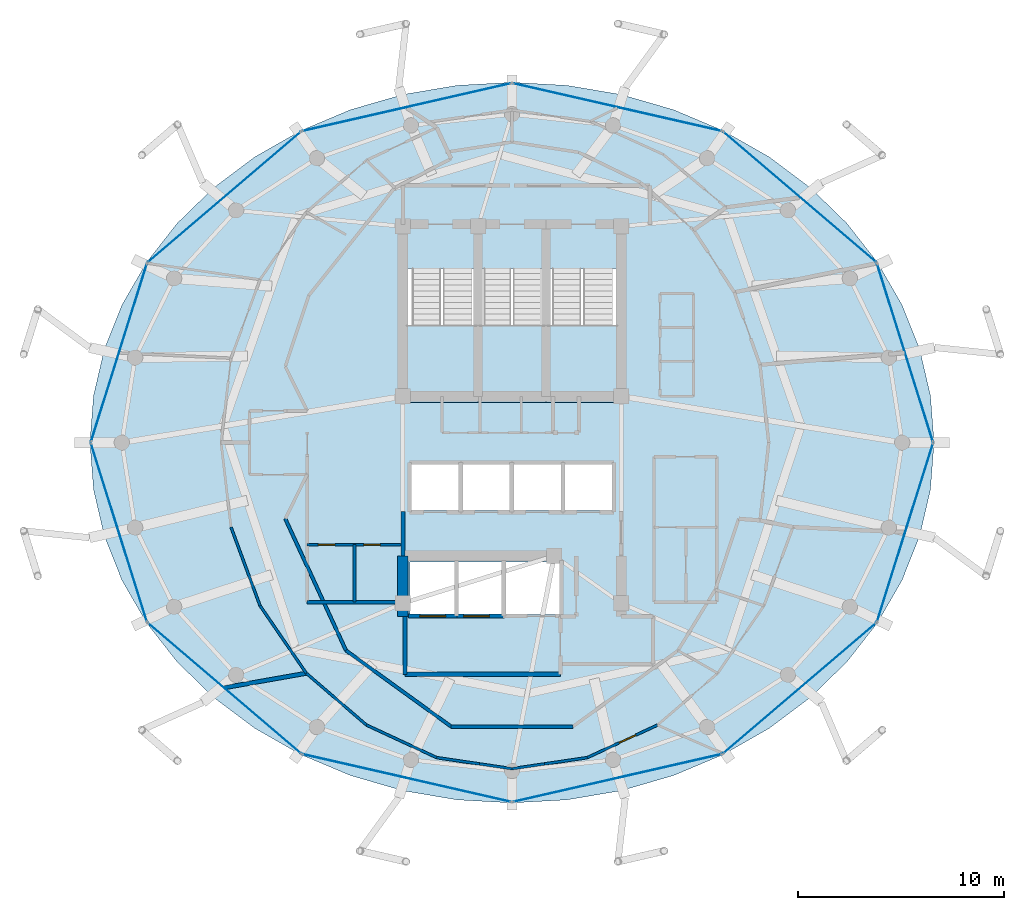
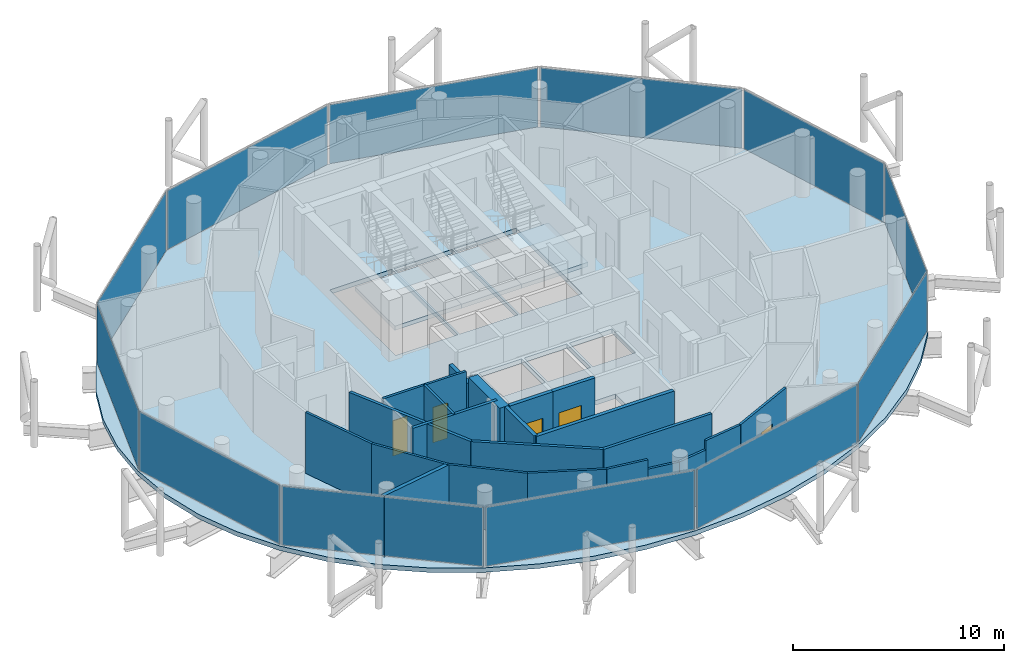
# One storey, part 20 of 25: 22 walls, 12 plates, 5 doors, 4 slabs, 5 openings, 15 elements without a shape of their own.
"""IFC4 building model written with IfcOpenShell, lengths in metres."""

from ifc_helpers import new_model, si_unit, direction, frame, frame_2d, origin, origin_2d, place, context, subcontext, project, spatial, polyline, rectangle, outline, extrude, material, layer, layer_set, type_object, element, fill, aggregate, save


model = new_model("IFC4")

# Units and contexts
model_context = context("Model", 3, precision=1e-05, world=origin(), true_north=direction((0.0, 1.0)))
body_context = subcontext(model_context, "Body", "Model", "MODEL_VIEW")
ifc_project = project(units=[si_unit("LENGTHUNIT", "METRE"), si_unit("AREAUNIT", "SQUARE_METRE"), si_unit("VOLUMEUNIT", "CUBIC_METRE"), si_unit("PLANEANGLEUNIT", "RADIAN"), si_unit("MASSUNIT", "GRAM", prefix="KILO")], contexts=[model_context])

# Site, building, storey
site_placement = place(None, origin())
site = spatial("IfcSite", under=ifc_project, at=site_placement, CompositionType="ELEMENT")
building_placement = place(site_placement, origin())
building = spatial("IfcBuilding", under=site, at=building_placement, Name="Nuhasar Tower", CompositionType="ELEMENT")
storey_placement = place(building_placement, frame((0.0, 0.0, 255.60009765625)))
storey = spatial("IfcBuildingStorey", under=building, at=storey_placement, Name="L63", CompositionType="ELEMENT", Elevation=255.60009765625)

# Curtain wall, plate
ifc_material_1 = material(Name="Aluminium 6063-T6", Category="aluminium")
ifc_layer_1 = layer(ifc_material_1, 0.18994140625)
ifc_layer_set_1 = layer_set([ifc_layer_1], Name="Aluminium 6063-T6")
curtain_wall_type = type_object("IfcCurtainWallType", Name="CW-Z4-PEN", PredefinedType="NOTDEFINED", material=ifc_layer_set_1)
curtain_wall_1_placement = place(storey_placement, origin())
curtain_wall_1 = element("IfcCurtainWall", 1, at=curtain_wall_1_placement, inside=storey, type_object=curtain_wall_type, Name="L63 Unitised Curtain Wall 01", PredefinedType="NOTDEFINED")
ifc_material_2 = material(Name="Glass Double Low-E", Category="glass")
ifc_layer_2 = layer(ifc_material_2, 0.028076171875)
ifc_layer_set_2 = layer_set([ifc_layer_2], Name="Glass Double Low-E")
plate_type = type_object("IfcPlateType", Name="CW-PANEL-GLZ", PredefinedType="CURTAIN_PANEL", material=ifc_layer_set_2)
plate_1_placement = place(storey_placement, frame((58.089599609375, 31.1650390625, 0.06005859375), z_axis=(0.0, 0.0, 1.0), x_axis=(-0.299556614146, 0.954078526601, 0.0)))
plate_1 = element("IfcPlate", 2, at=plate_1_placement, type_object=plate_type, Name="CW-Z4 panel 1.1", PredefinedType="CURTAIN_PANEL", context=body_context, shape_type="SweptSolid", body=[
    extrude(rectangle(XDim=9.0302734375, YDim=0.028076171875, at=origin_2d()), origin(), (0.0, 0.0, 1.0), 3.419921875),
])
aggregate(curtain_wall_1, [plate_1])

curtain_wall_2_placement = place(storey_placement, origin())
curtain_wall_2 = element("IfcCurtainWall", 3, at=curtain_wall_2_placement, inside=storey, type_object=curtain_wall_type, Name="L63 Unitised Curtain Wall 02", PredefinedType="NOTDEFINED")
plate_2_placement = place(storey_placement, frame((52.974609375, 38.7255859375, 0.06005859375), z_axis=(0.0, 0.0, 1.0), x_axis=(-0.760667252327, 0.649141996205, 0.0)))
plate_2 = element("IfcPlate", 4, at=plate_2_placement, type_object=plate_type, Name="CW-Z4 panel 1.1", PredefinedType="CURTAIN_PANEL", context=body_context, shape_type="SweptSolid", body=[
    extrude(rectangle(XDim=9.725341796875, YDim=0.028076171875, at=origin_2d()), origin(), (0.0, 0.0, 1.0), 3.419921875),
])
aggregate(curtain_wall_2, [plate_2])

curtain_wall_3_placement = place(storey_placement, origin())
curtain_wall_3 = element("IfcCurtainWall", 5, at=curtain_wall_3_placement, inside=storey, type_object=curtain_wall_type, Name="L63 Unitised Curtain Wall 03", PredefinedType="NOTDEFINED")
plate_3_placement = place(storey_placement, frame((44.114990234375, 43.090576171875, 0.06005859375), z_axis=(0.0, 0.0, 1.0), x_axis=(-0.97484371891, 0.222889487645, 0.0)))
plate_3 = element("IfcPlate", 6, at=plate_3_placement, type_object=plate_type, Name="CW-Z4 panel 1.1", PredefinedType="CURTAIN_PANEL", context=body_context, shape_type="SweptSolid", body=[
    extrude(rectangle(XDim=10.3740234375, YDim=0.028076171875, at=origin_2d()), origin(), (0.0, 0.0, 1.0), 3.419921875),
])
aggregate(curtain_wall_3, [plate_3])

curtain_wall_4_placement = place(storey_placement, origin())
curtain_wall_4 = element("IfcCurtainWall", 7, at=curtain_wall_4_placement, inside=storey, type_object=curtain_wall_type, Name="L63 Unitised Curtain Wall 04", PredefinedType="NOTDEFINED")
plate_4_placement = place(storey_placement, frame((33.885009765625, 43.090576171875, 0.06005859375), z_axis=(0.0, 0.0, 1.0), x_axis=(-0.97484371891, -0.222889487645, 0.0)))
plate_4 = element("IfcPlate", 8, at=plate_4_placement, type_object=plate_type, Name="CW-Z4 panel 1.1", PredefinedType="CURTAIN_PANEL", context=body_context, shape_type="SweptSolid", body=[
    extrude(rectangle(XDim=10.3740234375, YDim=0.028076171875, at=origin_2d()), origin(), (0.0, 0.0, 1.0), 3.419921875),
])
aggregate(curtain_wall_4, [plate_4])

curtain_wall_5_placement = place(storey_placement, origin())
curtain_wall_5 = element("IfcCurtainWall", 9, at=curtain_wall_5_placement, inside=storey, type_object=curtain_wall_type, Name="L63 Unitised Curtain Wall 05", PredefinedType="NOTDEFINED")
plate_5_placement = place(storey_placement, frame((25.025390625, 38.7255859375, 0.06005859375), z_axis=(0.0, 0.0, 1.0), x_axis=(-0.760667252327, -0.649141996205, 0.0)))
plate_5 = element("IfcPlate", 10, at=plate_5_placement, type_object=plate_type, Name="CW-Z4 panel 1.1", PredefinedType="CURTAIN_PANEL", context=body_context, shape_type="SweptSolid", body=[
    extrude(rectangle(XDim=9.725341796875, YDim=0.028076171875, at=origin_2d()), origin(), (0.0, 0.0, 1.0), 3.419921875),
])
aggregate(curtain_wall_5, [plate_5])

curtain_wall_6_placement = place(storey_placement, origin())
curtain_wall_6 = element("IfcCurtainWall", 11, at=curtain_wall_6_placement, inside=storey, type_object=curtain_wall_type, Name="L63 Unitised Curtain Wall 06", PredefinedType="NOTDEFINED")
plate_6_placement = place(storey_placement, frame((19.910400390625, 31.1650390625, 0.06005859375), z_axis=(0.0, 0.0, 1.0), x_axis=(-0.299556614146, -0.954078526601, 0.0)))
plate_6 = element("IfcPlate", 12, at=plate_6_placement, type_object=plate_type, Name="CW-Z4 panel 1.1", PredefinedType="CURTAIN_PANEL", context=body_context, shape_type="SweptSolid", body=[
    extrude(rectangle(XDim=9.0302734375, YDim=0.028076171875, at=origin_2d()), origin(), (0.0, 0.0, 1.0), 3.419921875),
])
aggregate(curtain_wall_6, [plate_6])

curtain_wall_7_placement = place(storey_placement, origin())
curtain_wall_7 = element("IfcCurtainWall", 13, at=curtain_wall_7_placement, inside=storey, type_object=curtain_wall_type, Name="L63 Unitised Curtain Wall 07", PredefinedType="NOTDEFINED")
plate_7_placement = place(storey_placement, frame((19.910400390625, 22.43505859375, 0.06005859375), z_axis=(0.0, 0.0, 1.0), x_axis=(0.299556614146, -0.954078526601, 0.0)))
plate_7 = element("IfcPlate", 14, at=plate_7_placement, type_object=plate_type, Name="CW-Z4 panel 1.1", PredefinedType="CURTAIN_PANEL", context=body_context, shape_type="SweptSolid", body=[
    extrude(rectangle(XDim=9.0302734375, YDim=0.028076171875, at=origin_2d()), origin(), (0.0, 0.0, 1.0), 3.419921875),
])
aggregate(curtain_wall_7, [plate_7])

curtain_wall_8_placement = place(storey_placement, origin())
curtain_wall_8 = element("IfcCurtainWall", 15, at=curtain_wall_8_placement, inside=storey, type_object=curtain_wall_type, Name="L63 Unitised Curtain Wall 08", PredefinedType="NOTDEFINED")
plate_8_placement = place(storey_placement, frame((25.025390625, 14.87451171875, 0.06005859375), z_axis=(0.0, 0.0, 1.0), x_axis=(0.760667252327, -0.649141996205, 0.0)))
plate_8 = element("IfcPlate", 16, at=plate_8_placement, type_object=plate_type, Name="CW-Z4 panel 1.1", PredefinedType="CURTAIN_PANEL", context=body_context, shape_type="SweptSolid", body=[
    extrude(rectangle(XDim=9.725341796875, YDim=0.028076171875, at=origin_2d()), origin(), (0.0, 0.0, 1.0), 3.419921875),
])
aggregate(curtain_wall_8, [plate_8])

curtain_wall_9_placement = place(storey_placement, origin())
curtain_wall_9 = element("IfcCurtainWall", 17, at=curtain_wall_9_placement, inside=storey, type_object=curtain_wall_type, Name="L63 Unitised Curtain Wall 09", PredefinedType="NOTDEFINED")
plate_9_placement = place(storey_placement, frame((33.885009765625, 10.509521484375, 0.06005859375), z_axis=(0.0, 0.0, 1.0), x_axis=(0.97484371891, -0.222889487645, 0.0)))
plate_9 = element("IfcPlate", 18, at=plate_9_placement, type_object=plate_type, Name="CW-Z4 panel 1.1", PredefinedType="CURTAIN_PANEL", context=body_context, shape_type="SweptSolid", body=[
    extrude(rectangle(XDim=10.3740234375, YDim=0.028076171875, at=origin_2d()), origin(), (0.0, 0.0, 1.0), 3.419921875),
])
aggregate(curtain_wall_9, [plate_9])

curtain_wall_10_placement = place(storey_placement, origin())
curtain_wall_10 = element("IfcCurtainWall", 19, at=curtain_wall_10_placement, inside=storey, type_object=curtain_wall_type, Name="L63 Unitised Curtain Wall 10", PredefinedType="NOTDEFINED")
plate_10_placement = place(storey_placement, frame((44.114990234375, 10.509521484375, 0.06005859375), z_axis=(0.0, 0.0, 1.0), x_axis=(0.97484371891, 0.222889487645, 0.0)))
plate_10 = element("IfcPlate", 20, at=plate_10_placement, type_object=plate_type, Name="CW-Z4 panel 1.1", PredefinedType="CURTAIN_PANEL", context=body_context, shape_type="SweptSolid", body=[
    extrude(rectangle(XDim=10.3740234375, YDim=0.028076171875, at=origin_2d()), origin(), (0.0, 0.0, 1.0), 3.419921875),
])
aggregate(curtain_wall_10, [plate_10])

curtain_wall_11_placement = place(storey_placement, origin())
curtain_wall_11 = element("IfcCurtainWall", 21, at=curtain_wall_11_placement, inside=storey, type_object=curtain_wall_type, Name="L63 Unitised Curtain Wall 11", PredefinedType="NOTDEFINED")
plate_11_placement = place(storey_placement, frame((52.974609375, 14.87451171875, 0.06005859375), z_axis=(0.0, 0.0, 1.0), x_axis=(0.760667252327, 0.649141996205, 0.0)))
plate_11 = element("IfcPlate", 22, at=plate_11_placement, type_object=plate_type, Name="CW-Z4 panel 1.1", PredefinedType="CURTAIN_PANEL", context=body_context, shape_type="SweptSolid", body=[
    extrude(rectangle(XDim=9.725341796875, YDim=0.028076171875, at=origin_2d()), origin(), (0.0, 0.0, 1.0), 3.419921875),
])
aggregate(curtain_wall_11, [plate_11])

curtain_wall_12_placement = place(storey_placement, origin())
curtain_wall_12 = element("IfcCurtainWall", 23, at=curtain_wall_12_placement, inside=storey, type_object=curtain_wall_type, Name="L63 Unitised Curtain Wall 12", PredefinedType="NOTDEFINED")
plate_12_placement = place(storey_placement, frame((58.089599609375, 22.43505859375, 0.06005859375), z_axis=(0.0, 0.0, 1.0), x_axis=(0.299556614146, 0.954078526601, 0.0)))
plate_12 = element("IfcPlate", 24, at=plate_12_placement, type_object=plate_type, Name="CW-Z4 panel 1.1", PredefinedType="CURTAIN_PANEL", context=body_context, shape_type="SweptSolid", body=[
    extrude(rectangle(XDim=9.0302734375, YDim=0.028076171875, at=origin_2d()), origin(), (0.0, 0.0, 1.0), 3.419921875),
])
aggregate(curtain_wall_12, [plate_12])

# Stair, slab
ifc_material_3 = material(Name="Concrete C45/55", Category="concrete")
stair_type_1 = type_object("IfcStairType", Name="STR-ST-01-2F-22R-1727", PredefinedType="HALF_TURN_STAIR", material=ifc_material_3)
stair_1_placement = place(storey_placement, origin())
stair_1 = element("IfcStair", 25, at=stair_1_placement, inside=storey, type_object=stair_type_1, Name="L63 Exit Stair ST-01", PredefinedType="HALF_TURN_STAIR")
ifc_layer_3 = layer(ifc_material_3, 0.239990234375)
ifc_layer_set_3 = layer_set([ifc_layer_3], Name="Concrete C45/55")
slab_type_1 = type_object("IfcSlabType", Name="SLB-STAIR-LND-240", PredefinedType="LANDING", material=ifc_layer_set_3)
slab_1_placement = place(storey_placement, frame((0.0, 0.0, 1.659912109375)))
slab_1 = element("IfcSlab", 26, at=slab_1_placement, type_object=slab_type_1, Name="ST-01 landing 1", PredefinedType="LANDING", context=body_context, shape_type="SweptSolid", body=[
    extrude(outline(polyline([(33.699951171875, 28.75), (37.35009765625, 28.75), (37.35009765625, 32.52001953125), (33.699951171875, 32.52001953125), (33.699951171875, 28.75)])), origin(), (0.0, 0.0, 1.0), 0.239990234375),
])
aggregate(stair_1, [slab_1])

stair_type_2 = type_object("IfcStairType", Name="STR-ST-03-2F-22R-1727", PredefinedType="HALF_TURN_STAIR", material=ifc_material_3)
stair_2_placement = place(storey_placement, origin())
stair_2 = element("IfcStair", 27, at=stair_2_placement, inside=storey, type_object=stair_type_2, Name="L63 Exit Stair ST-03", PredefinedType="HALF_TURN_STAIR")
slab_2_placement = place(storey_placement, frame((0.0, 0.0, 1.659912109375)))
slab_2 = element("IfcSlab", 28, at=slab_2_placement, type_object=slab_type_1, Name="ST-03 landing 1", PredefinedType="LANDING", context=body_context, shape_type="SweptSolid", body=[
    extrude(outline(polyline([(37.35009765625, 28.75), (40.64990234375, 28.75), (40.64990234375, 32.52001953125), (37.35009765625, 32.52001953125), (37.35009765625, 28.75)])), origin(), (0.0, 0.0, 1.0), 0.239990234375),
])
aggregate(stair_2, [slab_2])

stair_type_3 = type_object("IfcStairType", Name="STR-ST-02-2F-22R-1727", PredefinedType="HALF_TURN_STAIR", material=ifc_material_3)
stair_3_placement = place(storey_placement, origin())
stair_3 = element("IfcStair", 29, at=stair_3_placement, inside=storey, type_object=stair_type_3, Name="L63 Exit Stair ST-02", PredefinedType="HALF_TURN_STAIR")
slab_3_placement = place(storey_placement, frame((0.0, 0.0, 1.659912109375)))
slab_3 = element("IfcSlab", 30, at=slab_3_placement, type_object=slab_type_1, Name="ST-02 landing 1", PredefinedType="LANDING", context=body_context, shape_type="SweptSolid", body=[
    extrude(outline(polyline([(40.64990234375, 28.75), (44.300048828125, 28.75), (44.300048828125, 32.52001953125), (40.64990234375, 32.52001953125), (40.64990234375, 28.75)])), origin(), (0.0, 0.0, 1.0), 0.239990234375),
])
aggregate(stair_3, [slab_3])

# Slab
ifc_material_4 = material(Name="Concrete C50/60", Category="concrete")
ifc_layer_4 = layer(ifc_material_4, 0.260009765625)
ifc_layer_set_4 = layer_set([ifc_layer_4], Name="Concrete C50/60")
slab_type_2 = type_object("IfcSlabType", Name="SLB-Z1A-260", PredefinedType="FLOOR", material=ifc_layer_set_4)
slab_4_placement = place(storey_placement, frame((0.0, 0.0, -0.260009765625)))
element("IfcSlab", 31, at=slab_4_placement, inside=storey, type_object=slab_type_2, Name="L63 Structural Slab", PredefinedType="FLOOR", context=body_context, shape_type="SweptSolid", body=[
    extrude(outline(polyline([(59.5, 26.800048828125), (59.324951171875, 29.083984375), (58.801025390625, 31.3291015625), (57.93994140625, 33.4970703125), (56.75390625, 35.550048828125), (55.263916015625, 37.452880859375), (53.49609375, 39.174072265625), (51.47998046875, 40.68408203125), (49.25, 41.955078125), (46.844970703125, 42.968017578125), (44.305908203125, 43.7041015625), (41.676025390625, 44.14990234375), (39.0, 44.300048828125), (36.323974609375, 44.14990234375), (33.694091796875, 43.7041015625), (31.155029296875, 42.968017578125), (28.75, 41.955078125), (26.52001953125, 40.68408203125), (24.50390625, 39.174072265625), (22.736083984375, 37.452880859375), (21.24609375, 35.550048828125), (20.06005859375, 33.4970703125), (19.198974609375, 31.3291015625), (18.675048828125, 29.083984375), (18.5, 26.800048828125), (18.675048828125, 24.51611328125), (19.198974609375, 22.27099609375), (20.06005859375, 20.10302734375), (21.24609375, 18.050048828125), (22.736083984375, 16.14697265625), (24.50390625, 14.426025390625), (26.52001953125, 12.916015625), (28.75, 11.64501953125), (31.155029296875, 10.632080078125), (33.694091796875, 9.89599609375), (36.323974609375, 9.449951171875), (39.0, 9.300048828125), (41.676025390625, 9.449951171875), (44.305908203125, 9.89599609375), (46.844970703125, 10.632080078125), (49.25, 11.64501953125), (51.47998046875, 12.916015625), (53.49609375, 14.426025390625), (55.263916015625, 16.14697265625), (56.75390625, 18.050048828125), (57.93994140625, 20.10302734375), (58.801025390625, 22.27099609375), (59.324951171875, 24.51611328125), (59.5, 26.800048828125)]), holes=[polyline([(33.8798828125, 35.25), (37.300048828125, 35.25), (37.300048828125, 29.0), (33.8798828125, 29.0), (33.8798828125, 35.25)]), polyline([(37.39990234375, 35.25), (40.60009765625, 35.25), (40.60009765625, 29.0), (37.39990234375, 29.0), (37.39990234375, 35.25)]), polyline([(40.699951171875, 35.25), (44.1201171875, 35.25), (44.1201171875, 29.0), (40.699951171875, 29.0), (40.699951171875, 35.25)]), polyline([(34.10009765625, 25.75), (36.43994140625, 25.75), (36.43994140625, 23.5), (34.10009765625, 23.5), (34.10009765625, 25.75)]), polyline([(36.580078125, 25.75), (38.919921875, 25.75), (38.919921875, 23.5), (36.580078125, 23.5), (36.580078125, 25.75)]), polyline([(39.06005859375, 25.75), (41.39990234375, 25.75), (41.39990234375, 23.5), (39.06005859375, 23.5), (39.06005859375, 25.75)]), polyline([(41.5400390625, 25.75), (43.8798828125, 25.75), (43.8798828125, 23.5), (41.5400390625, 23.5), (41.5400390625, 25.75)]), polyline([(34.050048828125, 21.0), (36.25, 21.0), (36.25, 18.449951171875), (34.050048828125, 18.449951171875), (34.050048828125, 21.0)]), polyline([(36.35009765625, 21.0), (38.550048828125, 21.0), (38.550048828125, 18.449951171875), (36.35009765625, 18.449951171875), (36.35009765625, 21.0)]), polyline([(38.64990234375, 21.0), (41.320068359375, 21.0), (41.320068359375, 18.449951171875), (38.64990234375, 18.449951171875), (38.64990234375, 21.0)])]), origin(), (0.0, 0.0, 1.0), 0.260009765625),
])

# Walls
ifc_layer_5 = layer(ifc_material_4, 0.5)
ifc_layer_set_5 = layer_set([ifc_layer_5], Name="Concrete C50/60")
wall_type_1 = type_object("IfcWallType", Name="WL-CORE-500", PredefinedType="SHEAR", material=ifc_layer_set_5)
wall_1_placement = place(storey_placement, frame((33.699951171875, 18.35009765625, 0.0), z_axis=(0.0, 0.0, 1.0), x_axis=(0.0, 1.0, 0.0)))
element("IfcWall", 32, at=wall_1_placement, inside=storey, type_object=wall_type_1, Name="L63 Core Shear Wall CW-SW CW-500", PredefinedType="SHEAR", context=body_context, shape_type="SweptSolid", body=[
    extrude(rectangle(XDim=2.949951171875, YDim=0.5, at=frame_2d((1.47509765625, 0.0))), origin(), (0.0, 0.0, 1.0), 3.539794921875),
])
ifc_material_5 = material(Name="Gypsum Board", Category="gypsum")
ifc_layer_6 = layer(ifc_material_5, 0.159912109375)
ifc_layer_set_6 = layer_set([ifc_layer_6], Name="Gypsum Board")
wall_type_2 = type_object("IfcWallType", Name="WL-CORR-160", PredefinedType="PARTITIONING", material=ifc_layer_set_6)
wall_2_placement = place(storey_placement, frame((29.050048828125, 19.050048828125, 0.0), z_axis=(0.0, 0.0, 1.0), x_axis=(1.0, 0.0, 0.0)))
element("IfcWall", 33, at=wall_2_placement, inside=storey, type_object=wall_type_2, Name="L63 Interior Partition RECL-B1-S", PredefinedType="PARTITIONING", context=body_context, shape_type="SweptSolid", body=[
    extrude(rectangle(XDim=4.64990234375, YDim=0.159912109375, at=frame_2d((2.324951171875, 0.0))), origin(), (0.0, 0.0, 1.0), 3.539794921875),
])
wall_3_placement = place(storey_placement, frame((27.988037109375, 23.10400390625, 0.0), z_axis=(0.0, 0.0, 1.0), x_axis=(0.418656179426, -0.908144814128, 0.0)))
element("IfcWall", 34, at=wall_3_placement, inside=storey, type_object=wall_type_2, Name="L63 Interior Partition UWEST-CORE-S1-26", PredefinedType="PARTITIONING", context=body_context, shape_type="SweptSolid", body=[
    extrude(rectangle(XDim=7.048583984375, YDim=0.159912109375, at=frame_2d((3.5244140625, 0.0))), origin(), (0.0, 0.0, 1.0), 3.539794921875),
])
wall_4_placement = place(storey_placement, frame((30.93896484375, 16.702880859375, 0.0), z_axis=(0.0, 0.0, 1.0), x_axis=(0.810290119061, -0.586028943784, 0.0)))
element("IfcWall", 35, at=wall_4_placement, inside=storey, type_object=wall_type_2, Name="L63 Interior Partition UWEST-CORE-S1-30", PredefinedType="PARTITIONING", context=body_context, shape_type="SweptSolid", body=[
    extrude(rectangle(XDim=6.306396484375, YDim=0.159912109375, at=frame_2d((3.1533203125, 0.0))), origin(), (0.0, 0.0, 1.0), 3.539794921875),
])
wall_5_placement = place(storey_placement, frame((36.049072265625, 13.007080078125, 0.0), z_axis=(0.0, 0.0, 1.0), x_axis=(1.0, 0.0, 0.0)))
element("IfcWall", 36, at=wall_5_placement, inside=storey, type_object=wall_type_2, Name="L63 Interior Partition UWEST-CORE-S1-34", PredefinedType="PARTITIONING", context=body_context, shape_type="SweptSolid", body=[
    extrude(rectangle(XDim=5.90185546875, YDim=0.159912109375, at=frame_2d((2.950927734375, 0.0))), origin(), (0.0, 0.0, 1.0), 3.539794921875),
])
ifc_layer_7 = layer(ifc_material_3, 0.199951171875)
ifc_layer_set_7 = layer_set([ifc_layer_7], Name="Concrete C45/55")
wall_type_3 = type_object("IfcWallType", Name="WL-LOBBY-200", PredefinedType="SOLIDWALL", material=ifc_layer_set_7)
wall_6_placement = place(storey_placement, frame((33.699951171875, 21.300048828125, 0.0), z_axis=(0.0, 0.0, 1.0), x_axis=(0.0, 1.0, 0.0)))
element("IfcWall", 37, at=wall_6_placement, inside=storey, type_object=wall_type_3, Name="L63 Interior Partition LLBH-W", PredefinedType="SOLIDWALL", context=body_context, shape_type="SweptSolid", body=[
    extrude(rectangle(XDim=2.14990234375, YDim=0.199951171875, at=frame_2d((1.074951171875, 0.0))), origin(), (0.0, 0.0, 1.0), 2.9248046875),
])
wall_7_placement = place(storey_placement, frame((33.800048828125, 15.550048828125, 0.0), z_axis=(0.0, 0.0, 1.0), x_axis=(1.0, 0.0, 0.0)))
element("IfcWall", 38, at=wall_7_placement, inside=storey, type_object=wall_type_3, Name="L63 Interior Partition FFL-S", PredefinedType="SOLIDWALL", context=body_context, shape_type="SweptSolid", body=[
    extrude(rectangle(XDim=7.550048828125, YDim=0.199951171875, at=frame_2d((3.77490234375, 0.0))), origin(), (0.0, 0.0, 1.0), 3.539794921875),
])
wall_8_placement = place(storey_placement, frame((33.800048828125, 15.550048828125, 0.0), z_axis=(0.0, 0.0, 1.0), x_axis=(0.0, 1.0, 0.0)))
element("IfcWall", 39, at=wall_8_placement, inside=storey, type_object=wall_type_3, Name="L63 Interior Partition FFL-W", PredefinedType="SOLIDWALL", context=body_context, shape_type="SweptSolid", body=[
    extrude(rectangle(XDim=2.800048828125, YDim=0.199951171875, at=frame_2d((1.39990234375, 0.0))), origin(), (0.0, 0.0, 1.0), 3.539794921875),
])

# Wall, openings, doors
ifc_layer_8 = layer(ifc_material_5, 0.125)
ifc_layer_set_8 = layer_set([ifc_layer_8], Name="Gypsum Board")
wall_type_4 = type_object("IfcWallType", Name="WL-PART-125", PredefinedType="PARTITIONING", material=ifc_layer_set_8)
wall_9_placement = place(storey_placement, frame((33.60009765625, 21.85009765625, 0.0), z_axis=(0.0, 0.0, 1.0), x_axis=(-1.0, 0.0, 0.0)))
wall_9 = element("IfcWall", 40, at=wall_9_placement, inside=storey, type_object=wall_type_4, Name="L63 Interior Partition HKPK1-N", PredefinedType="PARTITIONING", context=body_context, shape_type="SweptSolid", body=[
    extrude(rectangle(XDim=4.550048828125, YDim=0.125, at=frame_2d((2.27490234375, 0.0))), origin(), (0.0, 0.0, 1.0), 3.539794921875),
])
opening_1_placement = place(wall_9_placement, frame((3.199951171875, 0.0, 0.0)))
opening_1 = element("IfcOpeningElement", 41, at=opening_1_placement, cuts=wall_9, Name="Opening DM-01", PredefinedType="OPENING", context=body_context, shape_type="SweptSolid", body=[
    extrude(rectangle(XDim=0.800048828125, YDim=2.050048828125, at=frame_2d((0.39990234375, 1.02490234375))), frame((0.0, 0.072509765625, 0.0), z_axis=(0.0, -1.0, 0.0), x_axis=(1.0, 0.0, 0.0)), (0.0, 0.0, 1.0), 0.14501953125),
])
opening_2_placement = place(wall_9_placement, frame((1.0, 0.0, 0.0)))
opening_2 = element("IfcOpeningElement", 42, at=opening_2_placement, cuts=wall_9, Name="Opening DM-01", PredefinedType="OPENING", context=body_context, shape_type="SweptSolid", body=[
    extrude(rectangle(XDim=0.800048828125, YDim=2.050048828125, at=frame_2d((0.39990234375, 1.02490234375))), frame((0.0, 0.072509765625, 0.0), z_axis=(0.0, -1.0, 0.0), x_axis=(1.0, 0.0, 0.0)), (0.0, 0.0, 1.0), 0.14501953125),
])
ifc_material_6 = material(Name="Steel S355", Category="steel")
door_type_1 = type_object("IfcDoorType", Name="DR-RISER-FD60-800", OperationType="NOTDEFINED", PredefinedType="DOOR", material=ifc_material_6)
door_1_placement = place(opening_1_placement, origin())
door_1 = element("IfcDoor", 43, at=door_1_placement, inside=storey, type_object=door_type_1, Name="L63 Housekeeping Closet Door", OperationType="SINGLE_SWING_RIGHT", OverallHeight=2.050048828125, OverallWidth=0.800048828125, PredefinedType="DOOR", context=body_context, shape_type="SweptSolid", body=[
    extrude(rectangle(XDim=0.800048828125, YDim=2.050048828125, at=frame_2d((0.39990234375, 1.02490234375))), frame((0.0, 0.02490234375, 0.0), z_axis=(0.0, -1.0, 0.0), x_axis=(1.0, 0.0, 0.0)), (0.0, 0.0, 1.0), 0.050048828125),
])
fill(opening_1, door_1)
door_2_placement = place(opening_2_placement, origin())
door_2 = element("IfcDoor", 44, at=door_2_placement, inside=storey, type_object=door_type_1, Name="L63 Linen Store Door", OperationType="SINGLE_SWING_LEFT", OverallHeight=2.050048828125, OverallWidth=0.800048828125, PredefinedType="DOOR", context=body_context, shape_type="SweptSolid", body=[
    extrude(rectangle(XDim=0.800048828125, YDim=2.050048828125, at=frame_2d((0.39990234375, 1.02490234375))), frame((0.0, 0.02490234375, 0.0), z_axis=(0.0, -1.0, 0.0), x_axis=(1.0, 0.0, 0.0)), (0.0, 0.0, 1.0), 0.050048828125),
])
fill(opening_2, door_2)

# Walls
wall_10_placement = place(storey_placement, frame((31.35009765625, 19.050048828125, 0.0), z_axis=(0.0, 0.0, 1.0), x_axis=(0.0, 1.0, 0.0)))
element("IfcWall", 45, at=wall_10_placement, inside=storey, type_object=wall_type_4, Name="L63 Interior Partition HKPK1-V", PredefinedType="PARTITIONING", context=body_context, shape_type="SweptSolid", body=[
    extrude(rectangle(XDim=2.800048828125, YDim=0.125, at=frame_2d((1.39990234375, 0.0))), origin(), (0.0, 0.0, 1.0), 3.539794921875),
])
wall_11_placement = place(storey_placement, frame((25.35107421875, 22.699951171875, 0.0), z_axis=(0.0, 0.0, 1.0), x_axis=(0.346671925992, -0.937986447519, 0.0)))
element("IfcWall", 46, at=wall_11_placement, inside=storey, type_object=wall_type_4, Name="L63 Interior Partition USM-1-D-26", PredefinedType="PARTITIONING", context=body_context, shape_type="SweptSolid", body=[
    extrude(rectangle(XDim=4.072509765625, YDim=0.125, at=frame_2d((2.0361328125, 0.0))), origin(), (0.0, 0.0, 1.0), 3.539794921875),
])
wall_12_placement = place(storey_placement, frame((26.762939453125, 18.8798828125, 0.0), z_axis=(0.0, 0.0, 1.0), x_axis=(0.5649172284, -0.825147577744, 0.0)))
element("IfcWall", 47, at=wall_12_placement, inside=storey, type_object=wall_type_4, Name="L63 Interior Partition USM-1-D-28", PredefinedType="PARTITIONING", context=body_context, shape_type="SweptSolid", body=[
    extrude(rectangle(XDim=3.97607421875, YDim=0.125, at=frame_2d((1.988037109375, 0.0))), origin(), (0.0, 0.0, 1.0), 3.539794921875),
])
wall_13_placement = place(storey_placement, frame((29.009033203125, 15.59912109375, 0.0), z_axis=(0.0, 0.0, 1.0), x_axis=(0.758094504626, -0.652144709444, 0.0)))
element("IfcWall", 48, at=wall_13_placement, inside=storey, type_object=wall_type_4, Name="L63 Interior Partition USM-2-D-30", PredefinedType="PARTITIONING", context=body_context, shape_type="SweptSolid", body=[
    extrude(rectangle(XDim=3.859619140625, YDim=0.125, at=frame_2d((1.9296875, 0.0))), origin(), (0.0, 0.0, 1.0), 3.539794921875),
])
wall_14_placement = place(storey_placement, frame((31.93505859375, 13.08203125, 0.0), z_axis=(0.0, 0.0, 1.0), x_axis=(0.907032898502, -0.421059759459, 0.0)))
element("IfcWall", 49, at=wall_14_placement, inside=storey, type_object=wall_type_4, Name="L63 Interior Partition USM-2-D-32", PredefinedType="PARTITIONING", context=body_context, shape_type="SweptSolid", body=[
    extrude(rectangle(XDim=3.75732421875, YDim=0.125, at=frame_2d((1.878662109375, 0.0))), origin(), (0.0, 0.0, 1.0), 3.539794921875),
])
wall_15_placement = place(storey_placement, frame((35.343017578125, 11.5, 0.0), z_axis=(0.0, 0.0, 1.0), x_axis=(0.989306339285, -0.145852552432, 0.0)))
element("IfcWall", 50, at=wall_15_placement, inside=storey, type_object=wall_type_4, Name="L63 Interior Partition USM-2-D-34", PredefinedType="PARTITIONING", context=body_context, shape_type="SweptSolid", body=[
    extrude(rectangle(XDim=2.097412109375, YDim=0.125, at=frame_2d((1.048828125, 0.0))), origin(), (0.0, 0.0, 1.0), 3.539794921875),
])
for number, where, z_axis, x_axis, name in (
    (51, (37.41796875, 11.194091796875, 0.0), (0.0, 0.0, 1.0), (0.989225581401, -0.146399279717, 0.0), "L63 Interior Partition USM-2-D-34"),
    (52, (39.0, 10.9599609375, 0.0), (0.0, 0.0, 1.0), (0.989225581401, 0.146399279717, 0.0), "L63 Interior Partition USM-2-D-36"),
):
    element("IfcWall", number, at=place(storey_placement, frame(where, z_axis=z_axis, x_axis=x_axis)), inside=storey, type_object=wall_type_4, Name=name, PredefinedType="PARTITIONING", context=body_context, shape_type="SweptSolid", body=[
        extrude(rectangle(XDim=1.599365234375, YDim=0.125, at=frame_2d((0.7998046875, 0.0))), origin(), (0.0, 0.0, 1.0), 3.0),
    ])
wall_16_placement = place(storey_placement, frame((40.58203125, 11.194091796875, 0.0), z_axis=(0.0, 0.0, 1.0), x_axis=(0.989306339285, 0.145852552432, 0.0)))
element("IfcWall", 53, at=wall_16_placement, inside=storey, type_object=wall_type_4, Name="L63 Interior Partition USM-2-D-36", PredefinedType="PARTITIONING", context=body_context, shape_type="SweptSolid", body=[
    extrude(rectangle(XDim=2.097412109375, YDim=0.125, at=frame_2d((1.048828125, 0.0))), origin(), (0.0, 0.0, 1.0), 3.539794921875),
])

# Wall, opening, door
wall_17_placement = place(storey_placement, frame((46.06494140625, 13.08203125, 0.0), z_axis=(0.0, 0.0, 1.0), x_axis=(-0.907032898502, -0.421059759459, 0.0)))
wall_17 = element("IfcWall", 54, at=wall_17_placement, inside=storey, type_object=wall_type_4, Name="L63 Interior Partition USM-2-D-38", PredefinedType="PARTITIONING", context=body_context, shape_type="SweptSolid", body=[
    extrude(rectangle(XDim=3.75732421875, YDim=0.125, at=frame_2d((1.878662109375, 0.0))), origin(), (0.0, 0.0, 1.0), 3.539794921875),
])
opening_3_placement = place(wall_17_placement, frame((1.153076171875, 0.0, 0.0)))
opening_3 = element("IfcOpeningElement", 55, at=opening_3_placement, cuts=wall_17, Name="Opening DR-01", PredefinedType="OPENING", context=body_context, shape_type="SweptSolid", body=[
    extrude(rectangle(XDim=0.89990234375, YDim=2.10009765625, at=frame_2d((0.449951171875, 1.050048828125))), frame((0.0, 0.072509765625, 0.0), z_axis=(0.0, -1.0, 0.0), x_axis=(1.0, 0.0, 0.0)), (0.0, 0.0, 1.0), 0.14501953125),
])
ifc_material_7 = material(Name="Timber Oak", Category="wood")
door_type_2 = type_object("IfcDoorType", Name="DR-ROOM-900", OperationType="NOTDEFINED", PredefinedType="DOOR", material=ifc_material_7)
door_3_placement = place(opening_3_placement, origin())
door_3 = element("IfcDoor", 56, at=door_3_placement, inside=storey, type_object=door_type_2, Name="L63 South-West Sky Home Living Door", OperationType="SINGLE_SWING_LEFT", OverallHeight=2.10009765625, OverallWidth=0.89990234375, PredefinedType="DOOR", context=body_context, shape_type="SweptSolid", body=[
    extrude(rectangle(XDim=0.89990234375, YDim=2.10009765625, at=frame_2d((0.449951171875, 1.050048828125))), frame((0.0, 0.02490234375, 0.0), z_axis=(0.0, -1.0, 0.0), x_axis=(1.0, 0.0, 0.0)), (0.0, 0.0, 1.0), 0.050048828125),
])
fill(opening_3, door_3)

ifc_layer_9 = layer(ifc_material_3, 0.199951171875)
ifc_layer_set_9 = layer_set([ifc_layer_9], Name="Concrete C45/55")
wall_type_5 = type_object("IfcWallType", Name="WL-SHAFT-200", PredefinedType="SOLIDWALL", material=ifc_layer_set_9)
wall_18_placement = place(storey_placement, frame((33.969970703125, 18.3701171875, 0.0), z_axis=(0.0, 0.0, 1.0), x_axis=(1.0, 0.0, 0.0)))
wall_18 = element("IfcWall", 57, at=wall_18_placement, inside=storey, type_object=wall_type_5, Name="L63 Interior Partition SHF-FFL-01-S", PredefinedType="SOLIDWALL", context=body_context, shape_type="SweptSolid", body=[
    extrude(rectangle(XDim=2.360107421875, YDim=0.199951171875, at=frame_2d((1.18017578125, 0.0))), origin(), (0.0, 0.0, 1.0), 3.539794921875),
])
opening_4_placement = place(wall_18_placement, frame((0.554931640625, 0.0, 0.0)))
opening_4 = element("IfcOpeningElement", 58, at=opening_4_placement, cuts=wall_18, Name="Opening LD-F01", PredefinedType="OPENING", context=body_context, shape_type="SweptSolid", body=[
    extrude(rectangle(XDim=1.25, YDim=2.199951171875, at=frame_2d((0.625, 1.10009765625))), frame((0.0, 0.10986328125, 0.0), z_axis=(0.0, -1.0, 0.0), x_axis=(1.0, 0.0, 0.0)), (0.0, 0.0, 1.0), 0.219970703125),
])
ifc_material_8 = material(Name="Stainless Steel 316L", Category="steel")
door_type_3 = type_object("IfcDoorType", Name="LD-FFL-1250", OperationType="DOUBLE_DOOR_SLIDING", PredefinedType="DOOR", material=ifc_material_8)
door_4_placement = place(opening_4_placement, origin())
door_4 = element("IfcDoor", 59, at=door_4_placement, inside=storey, type_object=door_type_3, Name="L63 Lift Landing Door FFL-01", OperationType="DOUBLE_DOOR_SLIDING", OverallHeight=2.199951171875, OverallWidth=1.25, PredefinedType="DOOR", context=body_context, shape_type="SweptSolid", body=[
    extrude(rectangle(XDim=1.25, YDim=2.199951171875, at=frame_2d((0.625, 1.10009765625))), frame((0.0, 0.02490234375, 0.0), z_axis=(0.0, -1.0, 0.0), x_axis=(1.0, 0.0, 0.0)), (0.0, 0.0, 1.0), 0.050048828125),
])
fill(opening_4, door_4)

wall_19_placement = place(storey_placement, frame((36.27001953125, 18.3701171875, 0.0), z_axis=(0.0, 0.0, 1.0), x_axis=(1.0, 0.0, 0.0)))
wall_19 = element("IfcWall", 60, at=wall_19_placement, inside=storey, type_object=wall_type_5, Name="L63 Interior Partition SHF-FFL-02-S", PredefinedType="SOLIDWALL", context=body_context, shape_type="SweptSolid", body=[
    extrude(rectangle(XDim=2.35986328125, YDim=0.199951171875, at=frame_2d((1.179931640625, 0.0))), origin(), (0.0, 0.0, 1.0), 3.539794921875),
])
opening_5_placement = place(wall_19_placement, frame((0.3798828125, 0.0, 0.0)))
opening_5 = element("IfcOpeningElement", 61, at=opening_5_placement, cuts=wall_19, Name="Opening LD-F02", PredefinedType="OPENING", context=body_context, shape_type="SweptSolid", body=[
    extrude(rectangle(XDim=1.25, YDim=2.199951171875, at=frame_2d((0.625, 1.10009765625))), frame((0.0, 0.10986328125, 0.0), z_axis=(0.0, -1.0, 0.0), x_axis=(1.0, 0.0, 0.0)), (0.0, 0.0, 1.0), 0.219970703125),
])
door_5_placement = place(opening_5_placement, origin())
door_5 = element("IfcDoor", 62, at=door_5_placement, inside=storey, type_object=door_type_3, Name="L63 Lift Landing Door FFL-02", OperationType="DOUBLE_DOOR_SLIDING", OverallHeight=2.199951171875, OverallWidth=1.25, PredefinedType="DOOR", context=body_context, shape_type="SweptSolid", body=[
    extrude(rectangle(XDim=1.25, YDim=2.199951171875, at=frame_2d((0.625, 1.10009765625))), frame((0.0, 0.02490234375, 0.0), z_axis=(0.0, -1.0, 0.0), x_axis=(1.0, 0.0, 0.0)), (0.0, 0.0, 1.0), 0.050048828125),
])
fill(opening_5, door_5)

# Wall
ifc_material_9 = material(Name="Concrete C40/50 precast", Category="concrete")
ifc_layer_10 = layer(ifc_material_9, 0.199951171875)
ifc_layer_set_10 = layer_set([ifc_layer_10], Name="Concrete C40/50 precast")
wall_type_6 = type_object("IfcWallType", Name="WL-UNIT-200", PredefinedType="PARTITIONING", material=ifc_layer_set_10)
wall_20_placement = place(storey_placement, frame((29.009033203125, 15.59912109375, 0.0), z_axis=(0.0, 0.0, 1.0), x_axis=(-0.984724829426, -0.174117805844, 0.0)))
element("IfcWall", 63, at=wall_20_placement, inside=storey, type_object=wall_type_6, Name="L63 Interior Partition UWEST-PARTY-OUT", PredefinedType="PARTITIONING", context=body_context, shape_type="SweptSolid", body=[
    extrude(rectangle(XDim=4.021484375, YDim=0.199951171875, at=frame_2d((2.0107421875, 0.0))), origin(), (0.0, 0.0, 1.0), 3.539794921875),
])

save(model, "model.ifc")
